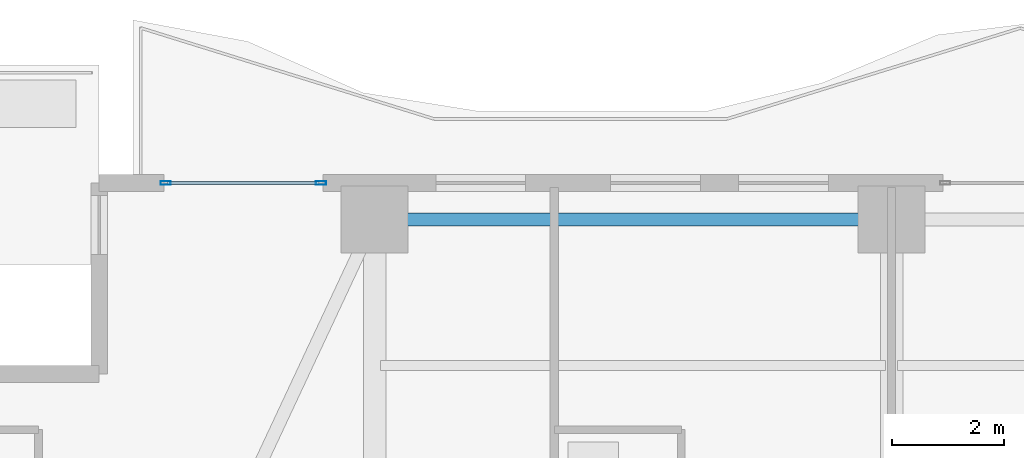
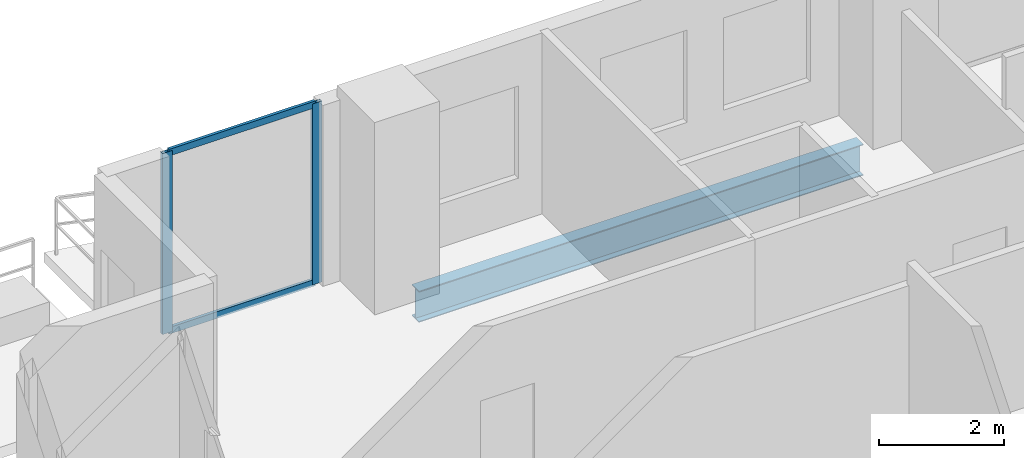
# One storey, part 17 of 32: 4 members, 1 beam, 1 element without a shape of its own.
"""IFC4 building model written with IfcOpenShell, lengths in metres."""

from ifc_helpers import new_model, si_unit, direction, frame, origin, origin_2d, place, context, subcontext, project, spatial, hollow_rectangle, i_section, extrude, material, layer, layer_set, material_profile, profile_set, type_object, element, aggregate, save


model = new_model("IFC4")

# Units and contexts
model_context = context("Model", 3, precision=1e-05, world=origin(), true_north=direction((0.0, 1.0)))
body_context = subcontext(model_context, "Body", "Model", "MODEL_VIEW")
ifc_project = project(units=[si_unit("LENGTHUNIT", "METRE"), si_unit("AREAUNIT", "SQUARE_METRE"), si_unit("VOLUMEUNIT", "CUBIC_METRE"), si_unit("PLANEANGLEUNIT", "RADIAN"), si_unit("MASSUNIT", "GRAM", prefix="KILO")], contexts=[model_context])

# Site, building, storey
site_placement = place(None, origin())
site = spatial("IfcSite", under=ifc_project, at=site_placement, CompositionType="ELEMENT")
building_placement = place(site_placement, origin())
building = spatial("IfcBuilding", under=site, at=building_placement, Name="Zuhayl Quay Hotel", CompositionType="ELEMENT")
storey_placement = place(building_placement, frame((0.0, 0.0, 181.14990234375)))
storey = spatial("IfcBuildingStorey", under=building, at=storey_placement, Name="L45", CompositionType="ELEMENT", Elevation=181.14990234375)

# Beam
ifc_material_1 = material(Name="Steel ASTM A992 Grade 50", Category="steel")
ifc_material_profile_1 = material_profile(ifc_material_1, i_section(OverallWidth=0.22802734375, OverallDepth=0.60693359375, WebThickness=0.01123046875, FlangeThickness=0.017333984375, at=origin_2d()), Name="W24X76")
ifc_profile_set_1 = profile_set([ifc_material_profile_1], Name="Steel ASTM A992 Grade 50")
beam_type = type_object("IfcBeamType", Name="BM_B3_W24X76", PredefinedType="BEAM", material=ifc_profile_set_1)
beam_placement = place(storey_placement, frame((-5.10009765625, 32.949951171875, -0.5234375), z_axis=(-1.0, 0.0, 0.0), x_axis=(0.0, -1.0, 0.0)))
element("IfcBeam", 1, at=beam_placement, inside=storey, type_object=beam_type, Name="L45 Floor Beam RG_L45_09", PredefinedType="BEAM", context=body_context, shape_type="SweptSolid", body=[
    extrude(i_section(OverallWidth=0.22802734375, OverallDepth=0.60693359375, WebThickness=0.01123046875, FlangeThickness=0.017333984375, at=origin_2d()), origin(), (0.0, 0.0, 1.0), 8.199951171875),
])

# Curtain wall, members
ifc_material_2 = material(Name="Anodised Aluminium 6063-T6", Category="aluminium")
ifc_layer = layer(ifc_material_2, 0.175048828125, Name="Anodised Aluminium 6063-T6", Category="aluminium")
ifc_layer_set = layer_set([ifc_layer], Name="Anodised Aluminium 6063-T6")
curtain_wall_type = type_object("IfcCurtainWallType", Name="CW_SYS_Z3", PredefinedType="USERDEFINED", material=ifc_layer_set)
curtain_wall_placement = place(storey_placement, origin())
curtain_wall = element("IfcCurtainWall", 2, at=curtain_wall_placement, inside=storey, type_object=curtain_wall_type, Name="L45 Curtain Wall ENV_L45_N_CW1", ObjectType="UNITISED CURTAIN WALL", PredefinedType="USERDEFINED")
ifc_material_3 = material(Name="Black-anodised aluminium 6063-T6", Category="aluminium")
ifc_material_profile_2 = material_profile(ifc_material_3, hollow_rectangle(XDim=0.06494140625, YDim=0.179931640625, WallThickness=0.00341796875, at=origin_2d()), Name="ALU180X65")
ifc_profile_set_2 = profile_set([ifc_material_profile_2], Name="Black-anodised aluminium 6063-T6")
member_type_1 = type_object("IfcMemberType", Name="MB_CW_MUL_180", PredefinedType="MULLION", material=ifc_profile_set_2)
member_1_placement = place(storey_placement, frame((-17.517578125, 33.60009765625, 0.0), z_axis=(0.0, 0.0, 1.0), x_axis=(0.0, 1.0, 0.0)))
member_1 = element("IfcMember", 3, at=member_1_placement, type_object=member_type_1, Name="CW-Z3 mullion 1", PredefinedType="MULLION", context=body_context, shape_type="SweptSolid", body=[
    extrude(hollow_rectangle(XDim=0.06494140625, YDim=0.179931640625, WallThickness=0.00341796875, at=origin_2d()), origin(), (0.0, 0.0, 1.0), 3.530029296875),
])
member_2_placement = place(storey_placement, frame((-14.75244140625, 33.60009765625, 0.0), z_axis=(0.0, 0.0, 1.0), x_axis=(0.0, 1.0, 0.0)))
member_2 = element("IfcMember", 4, at=member_2_placement, type_object=member_type_1, Name="CW-Z3 mullion 2", PredefinedType="MULLION", context=body_context, shape_type="SweptSolid", body=[
    extrude(hollow_rectangle(XDim=0.06494140625, YDim=0.179931640625, WallThickness=0.00341796875, at=origin_2d()), origin(), (0.0, 0.0, 1.0), 3.530029296875),
])
ifc_material_profile_3 = material_profile(ifc_material_3, hollow_rectangle(XDim=0.054931640625, YDim=0.1298828125, WallThickness=0.0029296875, at=origin_2d()), Name="ALU130X55")
ifc_profile_set_3 = profile_set([ifc_material_profile_3], Name="Black-anodised aluminium 6063-T6")
member_type_2 = type_object("IfcMemberType", Name="MB_CW_TRN_130", PredefinedType="USERDEFINED", material=ifc_profile_set_3)
member_3_placement = place(storey_placement, frame((-17.485107421875, 33.60009765625, 0.027587890625), z_axis=(1.0, 0.0, 0.0), x_axis=(0.0, 1.0, 0.0)))
member_3 = element("IfcMember", 5, at=member_3_placement, type_object=member_type_2, Name="CW-Z3 transom 1.1", ObjectType="TRANSOM", PredefinedType="USERDEFINED", context=body_context, shape_type="SweptSolid", body=[
    extrude(hollow_rectangle(XDim=0.054931640625, YDim=0.1298828125, WallThickness=0.0029296875, at=origin_2d()), origin(), (0.0, 0.0, 1.0), 2.7001953125),
])
member_4_placement = place(storey_placement, frame((-17.485107421875, 33.60009765625, 3.502685546875), z_axis=(1.0, 0.0, 0.0), x_axis=(0.0, 1.0, 0.0)))
member_4 = element("IfcMember", 6, at=member_4_placement, type_object=member_type_2, Name="CW-Z3 transom 1.2", ObjectType="TRANSOM", PredefinedType="USERDEFINED", context=body_context, shape_type="SweptSolid", body=[
    extrude(hollow_rectangle(XDim=0.054931640625, YDim=0.1298828125, WallThickness=0.0029296875, at=origin_2d()), origin(), (0.0, 0.0, 1.0), 2.7001953125),
])
aggregate(curtain_wall, [member_1, member_2, member_3, member_4])

save(model, "model.ifc")
